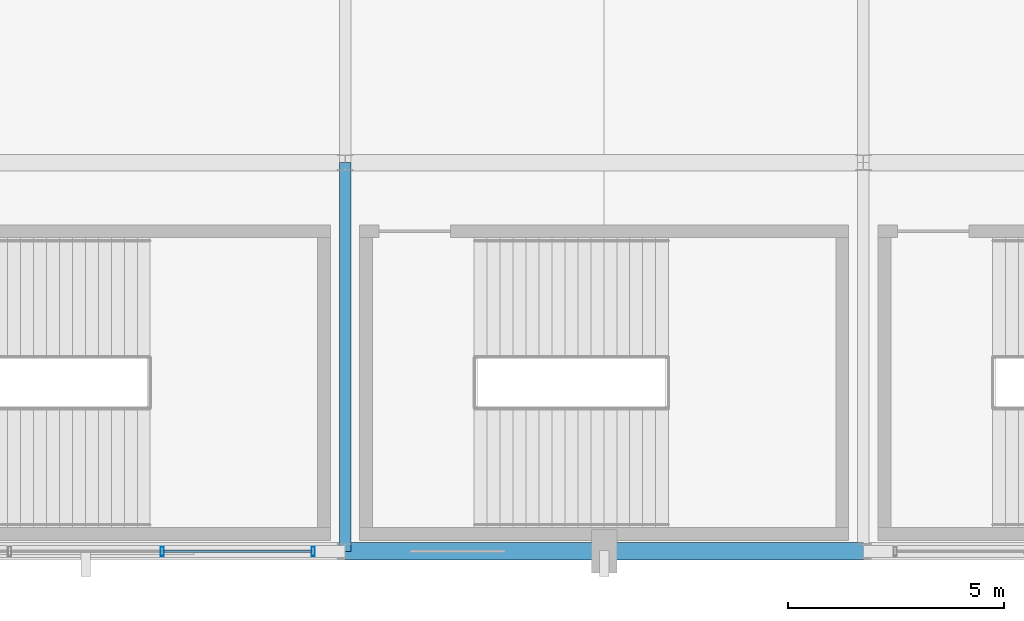
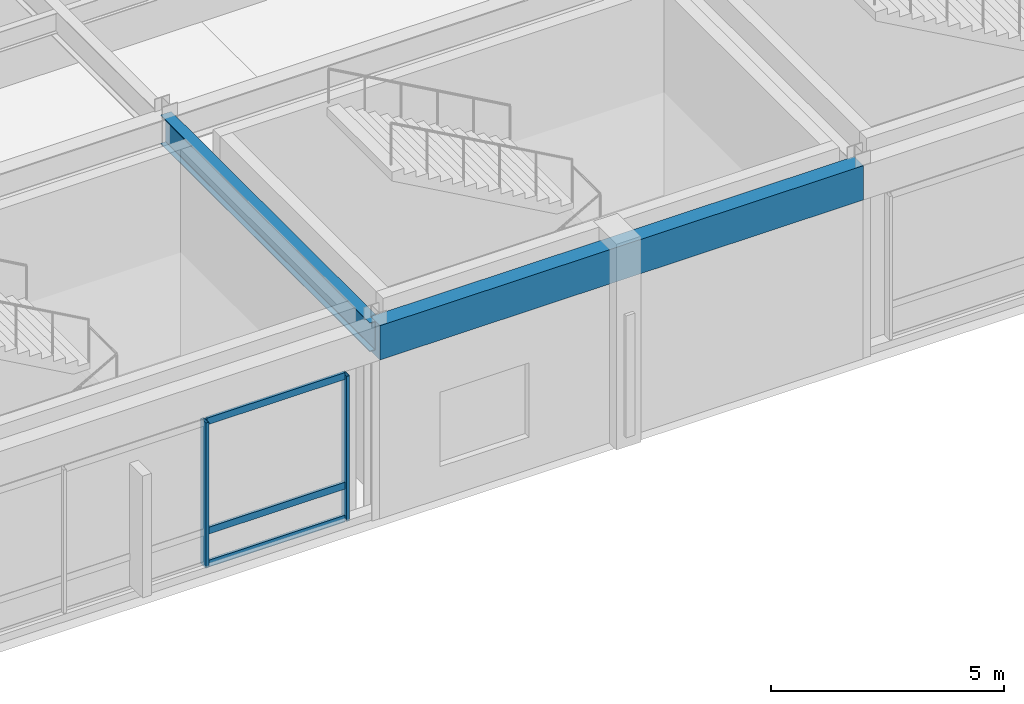
# One storey, part 25 of 100: 5 members, 2 beams, 1 element without a shape of its own.
"""IFC4 building model written with IfcOpenShell, lengths in metres."""

from ifc_helpers import new_model, si_unit, direction, frame, origin, origin_2d, place, context, subcontext, project, spatial, rectangle, hollow_rectangle, i_section, extrude, material, material_profile, profile_set, type_object, element, aggregate, save


model = new_model("IFC4")

# Units and contexts
model_context = context("Model", 3, precision=1e-05, world=origin(), true_north=direction((0.0, 1.0)))
body_context = subcontext(model_context, "Body", "Model", "MODEL_VIEW")
ifc_project = project(units=[si_unit("LENGTHUNIT", "METRE"), si_unit("AREAUNIT", "SQUARE_METRE"), si_unit("VOLUMEUNIT", "CUBIC_METRE"), si_unit("PLANEANGLEUNIT", "RADIAN"), si_unit("MASSUNIT", "GRAM", prefix="KILO")], contexts=[model_context])

# Site, building, storey
site_placement = place(None, origin())
site = spatial("IfcSite", under=ifc_project, at=site_placement, CompositionType="ELEMENT")
building_placement = place(site_placement, origin())
building = spatial("IfcBuilding", under=site, at=building_placement, Name="Kaldorvane Square Convention Centre", CompositionType="ELEMENT")
storey_placement = place(building_placement, frame((0.0, 0.0, 18.0)))
storey = spatial("IfcBuildingStorey", under=building, at=storey_placement, Name="L03", CompositionType="ELEMENT", Elevation=18.0)

# Beams
ifc_material_1 = material(Name="Steel ASTM A992 Gr. 50", Category="steel")
ifc_material_profile_1 = material_profile(ifc_material_1, i_section(OverallWidth=0.2666015625, OverallDepth=0.762298583984375, WebThickness=0.014404296875, FlangeThickness=0.0216064453125, FilletRadius=0.0164947509765625, at=origin_2d()), Name="W30X116")
ifc_profile_set_1 = profile_set([ifc_material_profile_1], Name="Steel ASTM A992 Gr. 50")
beam_type_1 = type_object("IfcBeamType", Name="BM-GR-W30X116", PredefinedType="BEAM", material=ifc_profile_set_1)
beam_1_placement = place(storey_placement, frame((54.0, 0.0, 4.694793701171875), z_axis=(0.0, 1.0, 0.0), x_axis=(-1.0, 0.0, 0.0)))
element("IfcBeam", 1, at=beam_1_placement, inside=storey, type_object=beam_type_1, Name="Transverse Girder (L03)", PredefinedType="BEAM", context=body_context, shape_type="SweptSolid", body=[
    extrude(i_section(OverallWidth=0.2666015625, OverallDepth=0.762298583984375, WebThickness=0.014404296875, FlangeThickness=0.0216064453125, FilletRadius=0.0164947509765625, at=origin_2d()), origin(), (0.0, 0.0, 1.0), 9.0),
])
ifc_material_2 = material(Name="Concrete f'c = 42 MPa (Normalweight)", Category="concrete")
ifc_material_profile_2 = material_profile(ifc_material_2, rectangle(XDim=0.399993896484375, YDim=0.899993896484375, at=origin_2d()), Name="RCSP900X400")
ifc_profile_set_2 = profile_set([ifc_material_profile_2], Name="Concrete f'c = 42 MPa (Normalweight)")
beam_type_2 = type_object("IfcBeamType", Name="BM-SP-RC900", PredefinedType="SPANDREL", material=ifc_profile_set_2)
beam_2_placement = place(storey_placement, frame((54.0, 0.0, 4.626007080078125), z_axis=(1.0, 0.0, 0.0), x_axis=(0.0, 1.0, 0.0)))
element("IfcBeam", 2, at=beam_2_placement, inside=storey, type_object=beam_type_2, Name="Perimeter Spandrel (L03)", PredefinedType="SPANDREL", context=body_context, shape_type="SweptSolid", body=[
    extrude(rectangle(XDim=0.399993896484375, YDim=0.899993896484375, at=origin_2d()), origin(), (0.0, 0.0, 1.0), 12.0),
])

# Curtain wall, members
ifc_material_3 = material(Name="Anodized Aluminum and Low-E Insulated Glazing", Category="aluminium")
curtain_wall_type = type_object("IfcCurtainWallType", Name="CW-UNI-P54-12", PredefinedType="USERDEFINED", material=ifc_material_3)
curtain_wall_placement = place(storey_placement, origin())
curtain_wall = element("IfcCurtainWall", 3, at=curtain_wall_placement, inside=storey, type_object=curtain_wall_type, Name="Curtain Wall CW-03 (L03)", ObjectType="UNITISED GLAZING", PredefinedType="USERDEFINED")
ifc_material_profile_3 = material_profile(ifc_material_3, hollow_rectangle(XDim=0.0749969482421875, YDim=0.220001220703125, WallThickness=0.003997802734375, at=origin_2d()), Name="CWM-220X75")
ifc_profile_set_3 = profile_set([ifc_material_profile_3], Name="Anodized Aluminum and Low-E Insulated Glazing")
member_type_1 = type_object("IfcMemberType", Name="CW-MUL-220", PredefinedType="MULLION", material=ifc_profile_set_3)
member_1_placement = place(storey_placement, frame((49.76666259765625, 0.0, 0.149993896484375), z_axis=(0.0, 0.0, 1.0), x_axis=(1.0, 0.0, 0.0)))
member_1 = element("IfcMember", 4, at=member_1_placement, type_object=member_type_1, Name="CW-03 mullion 3", PredefinedType="MULLION", context=body_context, shape_type="SweptSolid", body=[
    extrude(hollow_rectangle(XDim=0.0749969482421875, YDim=0.220001220703125, WallThickness=0.003997802734375, at=origin_2d()), origin(), (0.0, 0.0, 1.0), 3.8100128173828125),
])
member_2_placement = place(storey_placement, frame((53.26249694824219, 0.0, 0.149993896484375), z_axis=(0.0, 0.0, 1.0), x_axis=(1.0, 0.0, 0.0)))
member_2 = element("IfcMember", 5, at=member_2_placement, type_object=member_type_1, Name="CW-03 mullion 4", PredefinedType="MULLION", context=body_context, shape_type="SweptSolid", body=[
    extrude(hollow_rectangle(XDim=0.0749969482421875, YDim=0.220001220703125, WallThickness=0.003997802734375, at=origin_2d()), origin(), (0.0, 0.0, 1.0), 3.8100128173828125),
])
ifc_material_profile_4 = material_profile(ifc_material_3, hollow_rectangle(XDim=0.06500244140625, YDim=0.17999267578125, WallThickness=0.0034942626953125, at=origin_2d()), Name="CWT-180X65")
ifc_profile_set_4 = profile_set([ifc_material_profile_4], Name="Anodized Aluminum and Low-E Insulated Glazing")
member_type_2 = type_object("IfcMemberType", Name="CW-TRN-180", PredefinedType="USERDEFINED", material=ifc_profile_set_4)
member_3_placement = place(storey_placement, frame((49.804168701171875, 0.0, 0.1824951171875), z_axis=(1.0, 0.0, 0.0), x_axis=(0.0, 1.0, 0.0)))
member_3 = element("IfcMember", 6, at=member_3_placement, type_object=member_type_2, Name="CW-03 transom 3.1", ObjectType="TRANSOM", PredefinedType="USERDEFINED", context=body_context, shape_type="SweptSolid", body=[
    extrude(hollow_rectangle(XDim=0.06500244140625, YDim=0.17999267578125, WallThickness=0.0034942626953125, at=origin_2d()), origin(), (0.0, 0.0, 1.0), 3.42083740234375),
])
member_4_placement = place(storey_placement, frame((49.804168701171875, 0.0, 1.0500030517578125), z_axis=(1.0, 0.0, 0.0), x_axis=(0.0, 1.0, 0.0)))
member_4 = element("IfcMember", 7, at=member_4_placement, type_object=member_type_2, Name="CW-03 transom 3.2", ObjectType="TRANSOM", PredefinedType="USERDEFINED", context=body_context, shape_type="SweptSolid", body=[
    extrude(hollow_rectangle(XDim=0.06500244140625, YDim=0.17999267578125, WallThickness=0.0034942626953125, at=origin_2d()), origin(), (0.0, 0.0, 1.0), 3.42083740234375),
])
member_5_placement = place(storey_placement, frame((49.804168701171875, 0.0, 3.9275054931640625), z_axis=(1.0, 0.0, 0.0), x_axis=(0.0, 1.0, 0.0)))
member_5 = element("IfcMember", 8, at=member_5_placement, type_object=member_type_2, Name="CW-03 transom 3.3", ObjectType="TRANSOM", PredefinedType="USERDEFINED", context=body_context, shape_type="SweptSolid", body=[
    extrude(hollow_rectangle(XDim=0.06500244140625, YDim=0.17999267578125, WallThickness=0.0034942626953125, at=origin_2d()), origin(), (0.0, 0.0, 1.0), 3.42083740234375),
])
aggregate(curtain_wall, [member_1, member_2, member_3, member_4, member_5])

save(model, "model.ifc")
